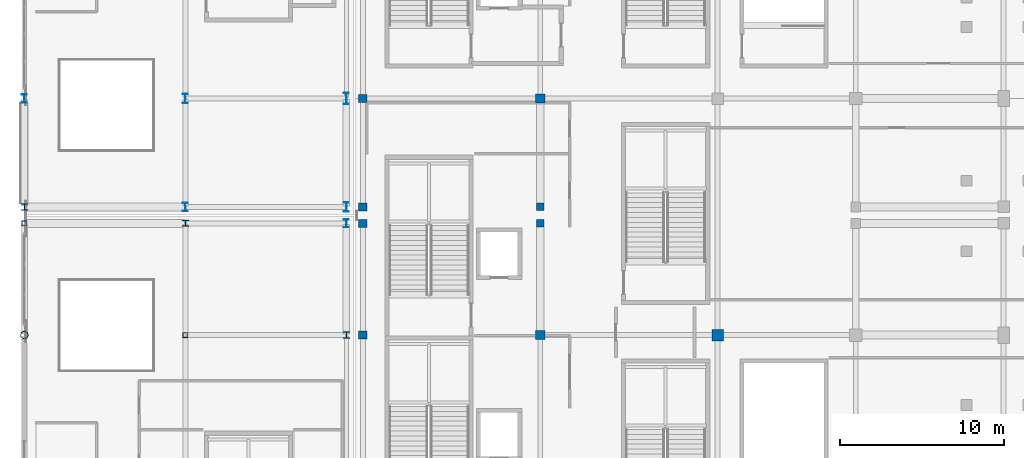
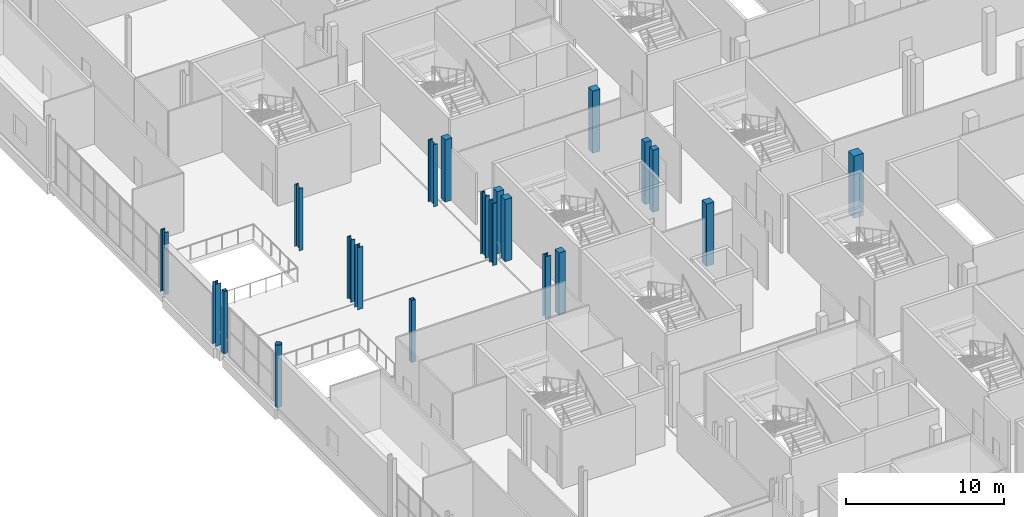
# One storey, part 5 of 129: 21 columns.
"""IFC4 building model written with IfcOpenShell, lengths in metres."""

from ifc_helpers import new_model, si_unit, direction, frame, origin, origin_2d, place, context, subcontext, project, spatial, rectangle, hollow_rectangle, hollow_circle, i_section, extrude, material, material_profile, profile_set, type_object, element, save


model = new_model("IFC4")

# Units and contexts
model_context = context("Model", 3, precision=1e-05, world=origin(), true_north=direction((0.0, 1.0)))
body_context = subcontext(model_context, "Body", "Model", "MODEL_VIEW")
ifc_project = project(units=[si_unit("LENGTHUNIT", "METRE"), si_unit("AREAUNIT", "SQUARE_METRE"), si_unit("VOLUMEUNIT", "CUBIC_METRE"), si_unit("PLANEANGLEUNIT", "RADIAN"), si_unit("MASSUNIT", "GRAM", prefix="KILO")], contexts=[model_context])

# Site, building, storey
site_placement = place(None, origin())
site = spatial("IfcSite", under=ifc_project, at=site_placement, CompositionType="ELEMENT")
building_placement = place(site_placement, origin())
building = spatial("IfcBuilding", under=site, at=building_placement, Name="Koshinbarg Plaza Stadium", CompositionType="ELEMENT")
storey_placement = place(building_placement, frame((0.0, 0.0, 5.39990234375)))
storey = spatial("IfcBuildingStorey", under=building, at=storey_placement, Name="L01", CompositionType="ELEMENT", Elevation=5.39990234375)

# Columns
ifc_material_1 = material(Name="Concrete C40/50", Category="concrete")
ifc_material_profile_1 = material_profile(ifc_material_1, rectangle(XDim=0.449951171875, YDim=0.449951171875, at=origin_2d()), Name="RC 450x450")
ifc_profile_set_1 = profile_set([ifc_material_profile_1], Name="Concrete C40/50")
column_type_1 = type_object("IfcColumnType", Name="COL-RC-01", PredefinedType="COLUMN", material=ifc_profile_set_1)
for number, where, z_axis, x_axis, name in (
    (1, (35.39990234375, 75.5, 0.0), (0.0, 0.0, 1.0), (1.0, 0.0, 0.0), "L01 column 6/K"),
    (2, (35.39990234375, 76.5, 0.0), (0.0, 0.0, 1.0), (1.0, 0.0, 0.0), "L01 column 6/L"),
):
    element("IfcColumn", number, at=place(storey_placement, frame(where, z_axis=z_axis, x_axis=x_axis)), inside=storey, type_object=column_type_1, Name=name, PredefinedType="COLUMN", context=body_context, shape_type="SweptSolid", body=[
        extrude(rectangle(XDim=0.449951171875, YDim=0.449951171875, at=origin_2d()), origin(), (0.0, 0.0, 1.0), 4.800048828125),
    ])
ifc_material_profile_2 = material_profile(ifc_material_1, rectangle(XDim=0.5, YDim=0.5, at=origin_2d()), Name="RC 500x500")
ifc_profile_set_2 = profile_set([ifc_material_profile_2], Name="Concrete C40/50")
column_type_2 = type_object("IfcColumnType", Name="COL-RC-02", PredefinedType="COLUMN", material=ifc_profile_set_2)
for number, where, z_axis, x_axis, name in (
    (3, (24.60009765625, 68.699951171875, 0.0), (0.0, 0.0, 1.0), (1.0, 0.0, 0.0), "L01 column 5/J"),
    (4, (24.60009765625, 75.5, 0.0), (0.0, 0.0, 1.0), (1.0, 0.0, 0.0), "L01 column 5/K"),
    (5, (24.60009765625, 76.5, 0.0), (0.0, 0.0, 1.0), (1.0, 0.0, 0.0), "L01 column 5/L"),
    (6, (24.60009765625, 83.10009765625, 0.0), (0.0, 0.0, 1.0), (1.0, 0.0, 0.0), "L01 column 5/M"),
):
    element("IfcColumn", number, at=place(storey_placement, frame(where, z_axis=z_axis, x_axis=x_axis)), inside=storey, type_object=column_type_2, Name=name, PredefinedType="COLUMN", context=body_context, shape_type="SweptSolid", body=[
        extrude(rectangle(XDim=0.5, YDim=0.5, at=origin_2d()), origin(), (0.0, 0.0, 1.0), 4.800048828125),
    ])
ifc_material_profile_3 = material_profile(ifc_material_1, rectangle(XDim=0.550048828125, YDim=0.550048828125, at=origin_2d()), Name="RC 550x550")
ifc_profile_set_3 = profile_set([ifc_material_profile_3], Name="Concrete C40/50")
column_type_3 = type_object("IfcColumnType", Name="COL-RC-03", PredefinedType="COLUMN", material=ifc_profile_set_3)
for number, where, z_axis, x_axis, name in (
    (7, (35.39990234375, 68.699951171875, 0.0), (0.0, 0.0, 1.0), (1.0, 0.0, 0.0), "L01 column 6/J"),
    (8, (35.39990234375, 83.10009765625, 0.0), (0.0, 0.0, 1.0), (1.0, 0.0, 0.0), "L01 column 6/M"),
):
    element("IfcColumn", number, at=place(storey_placement, frame(where, z_axis=z_axis, x_axis=x_axis)), inside=storey, type_object=column_type_3, Name=name, PredefinedType="COLUMN", context=body_context, shape_type="SweptSolid", body=[
        extrude(rectangle(XDim=0.550048828125, YDim=0.550048828125, at=origin_2d()), origin(), (0.0, 0.0, 1.0), 4.800048828125),
    ])
ifc_material_profile_4 = material_profile(ifc_material_1, rectangle(XDim=0.699951171875, YDim=0.699951171875, at=origin_2d()), Name="RC 700x700")
ifc_profile_set_4 = profile_set([ifc_material_profile_4], Name="Concrete C40/50")
column_type_4 = type_object("IfcColumnType", Name="COL-RC-06", PredefinedType="COLUMN", material=ifc_profile_set_4)
column_1_placement = place(storey_placement, frame((46.199951171875, 68.699951171875, 0.0), z_axis=(0.0, 0.0, 1.0), x_axis=(1.0, 0.0, 0.0)))
element("IfcColumn", 9, at=column_1_placement, inside=storey, type_object=column_type_4, Name="L01 column 7/J", PredefinedType="COLUMN", context=body_context, shape_type="SweptSolid", body=[
    extrude(rectangle(XDim=0.699951171875, YDim=0.699951171875, at=origin_2d()), origin(), (0.0, 0.0, 1.0), 4.800048828125),
])
ifc_material_2 = material(Name="Steel S355", Category="steel")
ifc_material_profile_5 = material_profile(ifc_material_2, i_section(OverallWidth=0.39501953125, OverallDepth=0.3798828125, WebThickness=0.018798828125, FlangeThickness=0.0302734375, at=origin_2d()), Name="HD 400x237")
ifc_profile_set_5 = profile_set([ifc_material_profile_5], Name="Steel S355")
column_type_5 = type_object("IfcColumnType", Name="COL-STL-01", PredefinedType="COLUMN", material=ifc_profile_set_5)
for number, where, z_axis, x_axis, name in (
    (10, (4.0, 76.5, 0.0), (0.0, 0.0, 1.0), (1.0, 0.0, 0.0), "L01 column 2/L"),
    (11, (13.800048828125, 75.5, 0.0), (0.0, 0.0, 1.0), (1.0, 0.0, 0.0), "L01 column 3/K"),
    (12, (23.60009765625, 68.699951171875, 0.0), (0.0, 0.0, 1.0), (1.0, 0.0, 0.0), "L01 column 4/J"),
):
    element("IfcColumn", number, at=place(storey_placement, frame(where, z_axis=z_axis, x_axis=x_axis)), inside=storey, type_object=column_type_5, Name=name, PredefinedType="COLUMN", context=body_context, shape_type="SweptSolid", body=[
        extrude(i_section(OverallWidth=0.39501953125, OverallDepth=0.3798828125, WebThickness=0.018798828125, FlangeThickness=0.0302734375, at=origin_2d()), origin(), (0.0, 0.0, 1.0), 4.800048828125),
    ])
ifc_material_profile_6 = material_profile(ifc_material_2, i_section(OverallWidth=0.300048828125, OverallDepth=0.5, WebThickness=0.014404296875, FlangeThickness=0.028076171875, at=origin_2d()), Name="HEB 500")
ifc_profile_set_6 = profile_set([ifc_material_profile_6], Name="Steel S355")
column_type_6 = type_object("IfcColumnType", Name="COL-STL-02", PredefinedType="COLUMN", material=ifc_profile_set_6)
for number, where, z_axis, x_axis, name in (
    (13, (4.0, 83.10009765625, 0.0), (0.0, 0.0, 1.0), (1.0, 0.0, 0.0), "L01 column 2/M"),
    (14, (13.800048828125, 76.5, 0.0), (0.0, 0.0, 1.0), (1.0, 0.0, 0.0), "L01 column 3/L"),
    (15, (23.60009765625, 75.5, 0.0), (0.0, 0.0, 1.0), (1.0, 0.0, 0.0), "L01 column 4/K"),
):
    element("IfcColumn", number, at=place(storey_placement, frame(where, z_axis=z_axis, x_axis=x_axis)), inside=storey, type_object=column_type_6, Name=name, PredefinedType="COLUMN", context=body_context, shape_type="SweptSolid", body=[
        extrude(i_section(OverallWidth=0.300048828125, OverallDepth=0.5, WebThickness=0.014404296875, FlangeThickness=0.028076171875, at=origin_2d()), origin(), (0.0, 0.0, 1.0), 4.800048828125),
    ])
ifc_material_profile_7 = material_profile(ifc_material_2, i_section(OverallWidth=0.300048828125, OverallDepth=0.60009765625, WebThickness=0.015380859375, FlangeThickness=0.030029296875, at=origin_2d()), Name="HEB 600")
ifc_profile_set_7 = profile_set([ifc_material_profile_7], Name="Steel S355")
column_type_7 = type_object("IfcColumnType", Name="COL-STL-03", PredefinedType="COLUMN", material=ifc_profile_set_7)
for number, where, z_axis, x_axis, name in (
    (16, (13.800048828125, 83.10009765625, 0.0), (0.0, 0.0, 1.0), (1.0, 0.0, 0.0), "L01 column 3/M"),
    (17, (23.60009765625, 76.5, 0.0), (0.0, 0.0, 1.0), (1.0, 0.0, 0.0), "L01 column 4/L"),
):
    element("IfcColumn", number, at=place(storey_placement, frame(where, z_axis=z_axis, x_axis=x_axis)), inside=storey, type_object=column_type_7, Name=name, PredefinedType="COLUMN", context=body_context, shape_type="SweptSolid", body=[
        extrude(i_section(OverallWidth=0.300048828125, OverallDepth=0.60009765625, WebThickness=0.015380859375, FlangeThickness=0.030029296875, at=origin_2d()), origin(), (0.0, 0.0, 1.0), 4.800048828125),
    ])
ifc_material_profile_8 = material_profile(ifc_material_2, i_section(OverallWidth=0.300048828125, OverallDepth=0.699951171875, WebThickness=0.01708984375, FlangeThickness=0.031982421875, at=origin_2d()), Name="HEB 700")
ifc_profile_set_8 = profile_set([ifc_material_profile_8], Name="Steel S355")
column_type_8 = type_object("IfcColumnType", Name="COL-STL-04", PredefinedType="COLUMN", material=ifc_profile_set_8)
column_2_placement = place(storey_placement, frame((23.60009765625, 83.10009765625, 0.0), z_axis=(0.0, 0.0, 1.0), x_axis=(1.0, 0.0, 0.0)))
element("IfcColumn", 18, at=column_2_placement, inside=storey, type_object=column_type_8, Name="L01 column 4/M", PredefinedType="COLUMN", context=body_context, shape_type="SweptSolid", body=[
    extrude(i_section(OverallWidth=0.300048828125, OverallDepth=0.699951171875, WebThickness=0.01708984375, FlangeThickness=0.031982421875, at=origin_2d()), origin(), (0.0, 0.0, 1.0), 4.800048828125),
])
ifc_material_profile_9 = material_profile(ifc_material_2, hollow_circle(Radius=0.228515625, WallThickness=0.02001953125, at=origin_2d()), Name="CHS 457x20")
ifc_profile_set_9 = profile_set([ifc_material_profile_9], Name="Steel S355")
column_type_9 = type_object("IfcColumnType", Name="COL-STL-05", PredefinedType="COLUMN", material=ifc_profile_set_9)
column_3_placement = place(storey_placement, frame((4.0, 68.699951171875, 0.0), z_axis=(0.0, 0.0, 1.0), x_axis=(1.0, 0.0, 0.0)))
element("IfcColumn", 19, at=column_3_placement, inside=storey, type_object=column_type_9, Name="L01 column 2/J", PredefinedType="COLUMN", context=body_context, shape_type="SweptSolid", body=[
    extrude(hollow_circle(Radius=0.228515625, WallThickness=0.02001953125, at=origin_2d()), origin(), (0.0, 0.0, 1.0), 4.800048828125),
])
ifc_material_profile_10 = material_profile(ifc_material_2, hollow_rectangle(XDim=0.300048828125, YDim=0.300048828125, WallThickness=0.01611328125, at=origin_2d()), Name="SHS 300x300x16")
ifc_profile_set_10 = profile_set([ifc_material_profile_10], Name="Steel S355")
column_type_10 = type_object("IfcColumnType", Name="COL-STL-06", PredefinedType="COLUMN", material=ifc_profile_set_10)
for number, where, z_axis, x_axis, name in (
    (20, (4.0, 75.5, 0.0), (0.0, 0.0, 1.0), (1.0, 0.0, 0.0), "L01 column 2/K"),
    (21, (13.800048828125, 68.699951171875, 0.0), (0.0, 0.0, 1.0), (1.0, 0.0, 0.0), "L01 column 3/J"),
):
    element("IfcColumn", number, at=place(storey_placement, frame(where, z_axis=z_axis, x_axis=x_axis)), inside=storey, type_object=column_type_10, Name=name, PredefinedType="COLUMN", context=body_context, shape_type="SweptSolid", body=[
        extrude(hollow_rectangle(XDim=0.300048828125, YDim=0.300048828125, WallThickness=0.01611328125, at=origin_2d()), origin(), (0.0, 0.0, 1.0), 4.800048828125),
    ])

save(model, "model.ifc")
